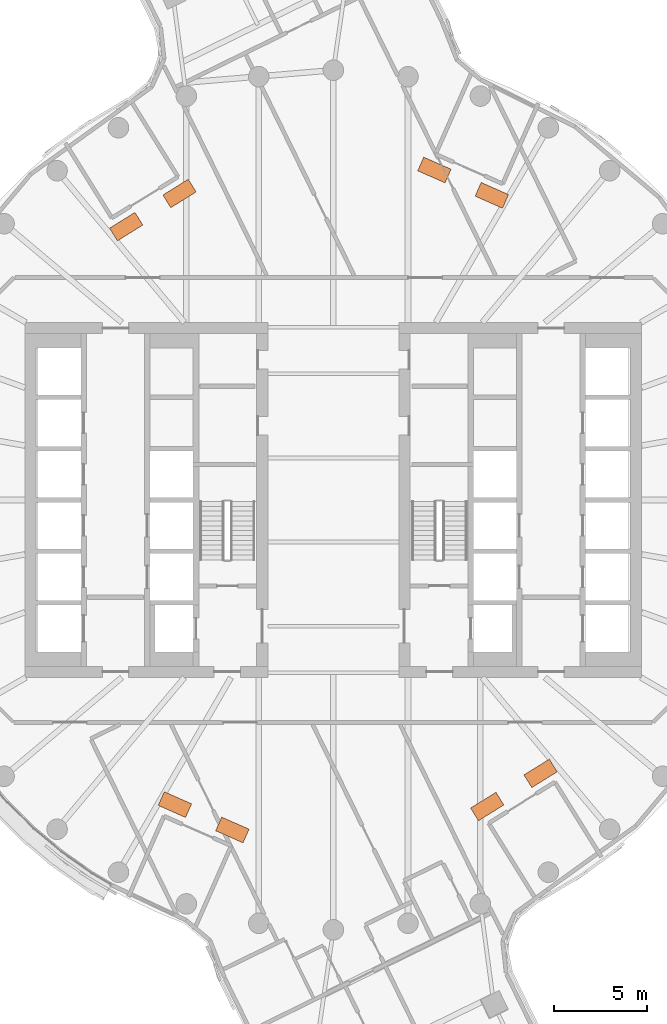
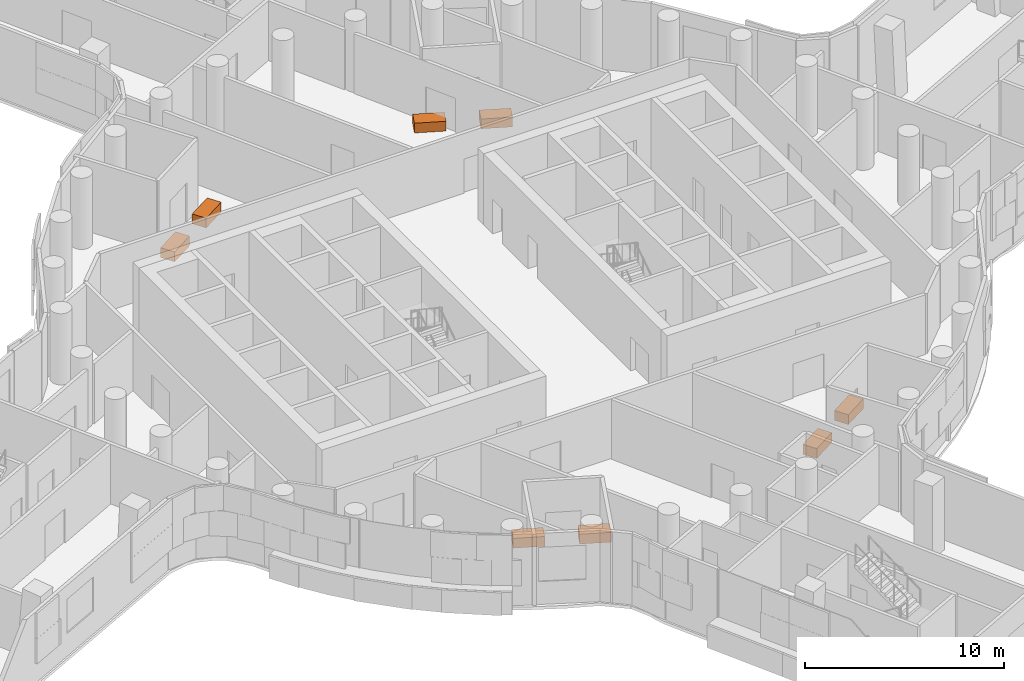
# One storey, part 23 of 23: 8 proxies.
"""IFC4 building model written with IfcOpenShell, lengths in metres."""

from ifc_helpers import new_model, si_unit, direction, frame, origin, origin_2d, place, context, subcontext, project, spatial, rectangle, extrude, material, type_object, element, save


model = new_model("IFC4")

# Units and contexts
model_context = context("Model", 3, precision=1e-05, world=origin(), true_north=direction((0.0, 1.0)))
body_context = subcontext(model_context, "Body", "Model", "MODEL_VIEW")
ifc_project = project(units=[si_unit("LENGTHUNIT", "METRE"), si_unit("AREAUNIT", "SQUARE_METRE"), si_unit("VOLUMEUNIT", "CUBIC_METRE"), si_unit("PLANEANGLEUNIT", "RADIAN"), si_unit("MASSUNIT", "GRAM", prefix="KILO")], contexts=[model_context])

# Site, building, storey
site_placement = place(None, origin())
site = spatial("IfcSite", under=ifc_project, at=site_placement, CompositionType="ELEMENT")
building_placement = place(site_placement, origin())
building = spatial("IfcBuilding", under=site, at=building_placement, Name="Tamarind Cross Interchange Tower", CompositionType="ELEMENT")
storey_placement = place(building_placement, frame((0.0, 0.0, 128.5)))
storey = spatial("IfcBuildingStorey", under=building, at=storey_placement, Name="L31", CompositionType="ELEMENT", Elevation=128.5)

# Proxies
ifc_material = material(Name="Concrete C30", Category="concrete")
building_element_proxy_type = type_object("IfcBuildingElementProxyType", Name="Planter", PredefinedType="USERDEFINED", material=ifc_material)
proxy_1_placement = place(storey_placement, origin())
element("IfcBuildingElementProxy", 1, at=proxy_1_placement, inside=storey, type_object=building_element_proxy_type, Name="PLT-L31-WG-L31-EN-0", ObjectType="Planter", PredefinedType="USERDEFINED", context=body_context, shape_type="SweptSolid", body=[
    extrude(rectangle(XDim=1.60009765625, YDim=0.800048828125, at=origin_2d()), frame((8.47900390625, 16.300537109375, 0.0), z_axis=(0.0, 0.0, 1.0), x_axis=(-0.914882175853, 0.40372094856, 0.0)), (0.0, 0.0, 1.0), 0.60009765625),
])
proxy_2_placement = place(storey_placement, origin())
element("IfcBuildingElementProxy", 2, at=proxy_2_placement, inside=storey, type_object=building_element_proxy_type, Name="PLT-L31-WG-L31-EN-1", ObjectType="Planter", PredefinedType="USERDEFINED", context=body_context, shape_type="SweptSolid", body=[
    extrude(rectangle(XDim=1.60009765625, YDim=0.800048828125, at=origin_2d()), frame((5.405029296875, 17.656982421875, 0.0), z_axis=(0.0, 0.0, 1.0), x_axis=(-0.914882175853, 0.40372094856, 0.0)), (0.0, 0.0, 1.0), 0.60009765625),
])
proxy_3_placement = place(storey_placement, origin())
element("IfcBuildingElementProxy", 3, at=proxy_3_placement, inside=storey, type_object=building_element_proxy_type, Name="PLT-L31-WG-L31-NW-0", ObjectType="Planter", PredefinedType="USERDEFINED", context=body_context, shape_type="SweptSolid", body=[
    extrude(rectangle(XDim=1.60009765625, YDim=0.800048828125, at=origin_2d()), frame((-8.232666015625, 16.4013671875, 0.0), z_axis=(0.0, 0.0, 1.0), x_axis=(-0.849432513748, -0.527697266042, 0.0)), (0.0, 0.0, 1.0), 0.60009765625),
])
proxy_4_placement = place(storey_placement, origin())
element("IfcBuildingElementProxy", 4, at=proxy_4_placement, inside=storey, type_object=building_element_proxy_type, Name="PLT-L31-WG-L31-NW-1", ObjectType="Planter", PredefinedType="USERDEFINED", context=body_context, shape_type="SweptSolid", body=[
    extrude(rectangle(XDim=1.60009765625, YDim=0.800048828125, at=origin_2d()), frame((-11.086669921875, 14.62841796875, 0.0), z_axis=(0.0, 0.0, 1.0), x_axis=(-0.849432513748, -0.527697266042, 0.0)), (0.0, 0.0, 1.0), 0.60009765625),
])
proxy_5_placement = place(storey_placement, origin())
element("IfcBuildingElementProxy", 5, at=proxy_5_placement, inside=storey, type_object=building_element_proxy_type, Name="PLT-L31-WG-L31-SE-0", ObjectType="Planter", PredefinedType="USERDEFINED", context=body_context, shape_type="SweptSolid", body=[
    extrude(rectangle(XDim=1.60009765625, YDim=0.800048828125, at=origin_2d()), frame((8.232666015625, -16.4013671875, 0.0), z_axis=(0.0, 0.0, 1.0), x_axis=(0.849432513748, 0.527697266042, 0.0)), (0.0, 0.0, 1.0), 0.60009765625),
])
proxy_6_placement = place(storey_placement, origin())
element("IfcBuildingElementProxy", 6, at=proxy_6_placement, inside=storey, type_object=building_element_proxy_type, Name="PLT-L31-WG-L31-SE-1", ObjectType="Planter", PredefinedType="USERDEFINED", context=body_context, shape_type="SweptSolid", body=[
    extrude(rectangle(XDim=1.60009765625, YDim=0.800048828125, at=origin_2d()), frame((11.086669921875, -14.62841796875, 0.0), z_axis=(0.0, 0.0, 1.0), x_axis=(0.849432513748, 0.527697266042, 0.0)), (0.0, 0.0, 1.0), 0.60009765625),
])
proxy_7_placement = place(storey_placement, origin())
element("IfcBuildingElementProxy", 7, at=proxy_7_placement, inside=storey, type_object=building_element_proxy_type, Name="PLT-L31-WG-L31-WS-0", ObjectType="Planter", PredefinedType="USERDEFINED", context=body_context, shape_type="SweptSolid", body=[
    extrude(rectangle(XDim=1.60009765625, YDim=0.800048828125, at=origin_2d()), frame((-8.47900390625, -16.300537109375, 0.0), z_axis=(0.0, 0.0, 1.0), x_axis=(0.914882175853, -0.40372094856, 0.0)), (0.0, 0.0, 1.0), 0.60009765625),
])
proxy_8_placement = place(storey_placement, origin())
element("IfcBuildingElementProxy", 8, at=proxy_8_placement, inside=storey, type_object=building_element_proxy_type, Name="PLT-L31-WG-L31-WS-1", ObjectType="Planter", PredefinedType="USERDEFINED", context=body_context, shape_type="SweptSolid", body=[
    extrude(rectangle(XDim=1.60009765625, YDim=0.800048828125, at=origin_2d()), frame((-5.405029296875, -17.656982421875, 0.0), z_axis=(0.0, 0.0, 1.0), x_axis=(0.914882175853, -0.40372094856, 0.0)), (0.0, 0.0, 1.0), 0.60009765625),
])

save(model, "model.ifc")
